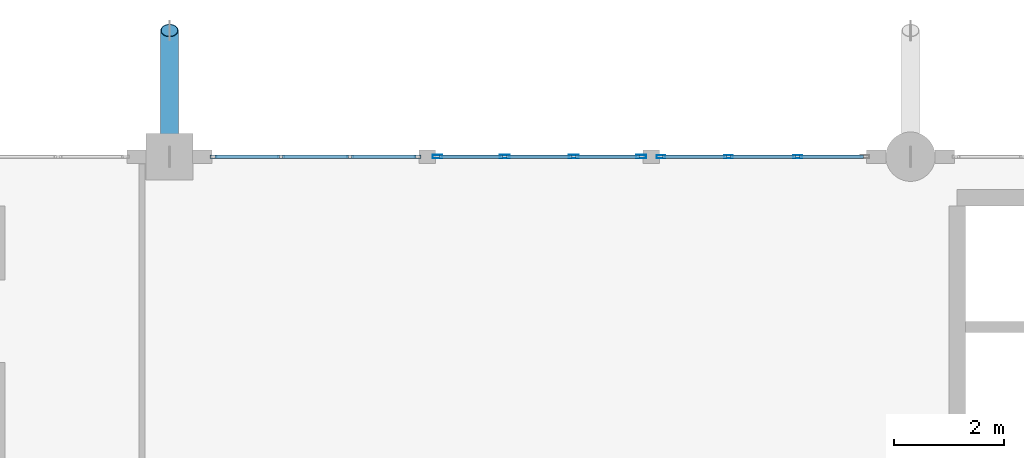
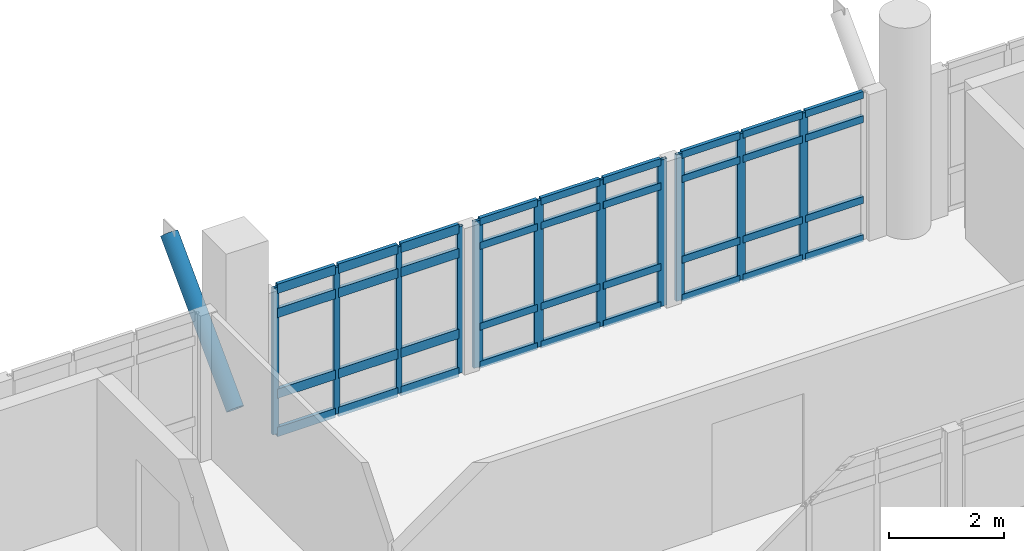
# One storey, part 10 of 37: 48 members, 3 elements without a shape of their own.
"""IFC4 building model written with IfcOpenShell, lengths in metres."""

from ifc_helpers import new_model, si_unit, direction, frame, origin, origin_2d, place, context, subcontext, project, spatial, hollow_rectangle, hollow_circle, extrude, material, layer, layer_set, material_profile, profile_set, type_object, element, aggregate, save


model = new_model("IFC4")

# Units and contexts
model_context = context("Model", 3, precision=1e-05, world=origin(), true_north=direction((0.0, 1.0)))
body_context = subcontext(model_context, "Body", "Model", "MODEL_VIEW")
ifc_project = project(units=[si_unit("LENGTHUNIT", "METRE"), si_unit("AREAUNIT", "SQUARE_METRE"), si_unit("VOLUMEUNIT", "CUBIC_METRE"), si_unit("PLANEANGLEUNIT", "RADIAN"), si_unit("MASSUNIT", "GRAM", prefix="KILO")], contexts=[model_context])

# Site, building, storey
site_placement = place(None, origin())
site = spatial("IfcSite", under=ifc_project, at=site_placement, CompositionType="ELEMENT")
building_placement = place(site_placement, origin())
building = spatial("IfcBuilding", under=site, at=building_placement, Name="Fikremerkos Civic Library", CompositionType="ELEMENT")
storey_placement = place(building_placement, frame((0.0, 0.0, 23.39990234375)))
storey = spatial("IfcBuildingStorey", under=building, at=storey_placement, Name="L05", CompositionType="ELEMENT", Elevation=23.39990234375)

# Curtain wall, members
ifc_material_1 = material(Name="Anodized aluminium Frame", Category="aluminium")
ifc_layer_1 = layer(ifc_material_1, 0.159912109375, Name="Anodized aluminium Frame")
ifc_layer_set_1 = layer_set([ifc_layer_1], Name="Anodized aluminium Frame")
curtain_wall_type_1 = type_object("IfcCurtainWallType", Name="Unitised curtain wall CW-09 3600x3400", PredefinedType="USERDEFINED", material=ifc_layer_set_1)
curtain_wall_1_placement = place(storey_placement, origin())
curtain_wall_1 = element("IfcCurtainWall", 1, at=curtain_wall_1_placement, inside=storey, type_object=curtain_wall_type_1, Name="Unitised curtain wall CW-09 L05 #261", ObjectType="UNITISED CURTAIN WALL", PredefinedType="USERDEFINED")
ifc_material_profile_1 = material_profile(ifc_material_1, hollow_rectangle(XDim=0.06494140625, YDim=0.179931640625, WallThickness=0.00439453125, at=origin_2d()), Name="ALU 180x65x4.5")
ifc_profile_set_1 = profile_set([ifc_material_profile_1], Name="Anodized aluminium Frame")
member_type_1 = type_object("IfcMemberType", Name="Curtain mullion CWM-01 ALU 180x65x4.5", PredefinedType="MULLION", material=ifc_profile_set_1)
member_1_placement = place(storey_placement, frame((37.581787109375, 31.199951171875, 0.0), z_axis=(0.0, 0.0, 1.0), x_axis=(0.0, 1.0, 0.0)))
member_1 = element("IfcMember", 2, at=member_1_placement, type_object=member_type_1, Name="CW-09 mullion 1", PredefinedType="MULLION", context=body_context, shape_type="SweptSolid", body=[
    extrude(hollow_rectangle(XDim=0.06494140625, YDim=0.179931640625, WallThickness=0.00439453125, at=origin_2d()), origin(), (0.0, 0.0, 1.0), 3.1201171875),
])
member_2_placement = place(storey_placement, frame((38.80810546875, 31.199951171875, 0.0), z_axis=(0.0, 0.0, 1.0), x_axis=(0.0, 1.0, 0.0)))
member_2 = element("IfcMember", 3, at=member_2_placement, type_object=member_type_1, Name="CW-09 mullion 2", PredefinedType="MULLION", context=body_context, shape_type="SweptSolid", body=[
    extrude(hollow_rectangle(XDim=0.06494140625, YDim=0.179931640625, WallThickness=0.00439453125, at=origin_2d()), origin(), (0.0, 0.0, 1.0), 3.1201171875),
])
member_3_placement = place(storey_placement, frame((40.06689453125, 31.199951171875, 0.0), z_axis=(0.0, 0.0, 1.0), x_axis=(0.0, 1.0, 0.0)))
member_3 = element("IfcMember", 4, at=member_3_placement, type_object=member_type_1, Name="CW-09 mullion 3", PredefinedType="MULLION", context=body_context, shape_type="SweptSolid", body=[
    extrude(hollow_rectangle(XDim=0.06494140625, YDim=0.179931640625, WallThickness=0.00439453125, at=origin_2d()), origin(), (0.0, 0.0, 1.0), 3.1201171875),
])
member_4_placement = place(storey_placement, frame((41.293212890625, 31.199951171875, 0.0), z_axis=(0.0, 0.0, 1.0), x_axis=(0.0, 1.0, 0.0)))
member_4 = element("IfcMember", 5, at=member_4_placement, type_object=member_type_1, Name="CW-09 mullion 4", PredefinedType="MULLION", context=body_context, shape_type="SweptSolid", body=[
    extrude(hollow_rectangle(XDim=0.06494140625, YDim=0.179931640625, WallThickness=0.00439453125, at=origin_2d()), origin(), (0.0, 0.0, 1.0), 3.1201171875),
])

ifc_layer_2 = layer(ifc_material_1, 0.159912109375, Name="Anodized aluminium Frame")
ifc_layer_set_2 = layer_set([ifc_layer_2], Name="Anodized aluminium Frame")
curtain_wall_type_2 = type_object("IfcCurtainWallType", Name="Unitised curtain wall CW-10 4000x3400", PredefinedType="USERDEFINED", material=ifc_layer_set_2)
curtain_wall_2_placement = place(storey_placement, origin())
curtain_wall_2 = element("IfcCurtainWall", 6, at=curtain_wall_2_placement, inside=storey, type_object=curtain_wall_type_2, Name="Unitised curtain wall CW-10 L05 #262", ObjectType="UNITISED CURTAIN WALL", PredefinedType="USERDEFINED")
ifc_material_profile_2 = material_profile(ifc_material_1, hollow_rectangle(XDim=0.06005859375, YDim=0.159912109375, WallThickness=0.00390625, at=origin_2d()), Name="ALU 160x60x4")
ifc_profile_set_2 = profile_set([ifc_material_profile_2], Name="Anodized aluminium Frame")
member_type_2 = type_object("IfcMemberType", Name="Curtain mullion CWM-02 ALU 160x60x4", PredefinedType="MULLION", material=ifc_profile_set_2)
member_5_placement = place(storey_placement, frame((41.65576171875, 31.199951171875, 0.0), z_axis=(0.0, 0.0, 1.0), x_axis=(0.0, 1.0, 0.0)))
member_5 = element("IfcMember", 7, at=member_5_placement, type_object=member_type_2, Name="CW-10 mullion 1", PredefinedType="MULLION", context=body_context, shape_type="SweptSolid", body=[
    extrude(hollow_rectangle(XDim=0.06005859375, YDim=0.159912109375, WallThickness=0.00390625, at=origin_2d()), origin(), (0.0, 0.0, 1.0), 3.1201171875),
])
member_6_placement = place(storey_placement, frame((42.884521484375, 31.199951171875, 0.0), z_axis=(0.0, 0.0, 1.0), x_axis=(0.0, 1.0, 0.0)))
member_6 = element("IfcMember", 8, at=member_6_placement, type_object=member_type_2, Name="CW-10 mullion 2", PredefinedType="MULLION", context=body_context, shape_type="SweptSolid", body=[
    extrude(hollow_rectangle(XDim=0.06005859375, YDim=0.159912109375, WallThickness=0.00390625, at=origin_2d()), origin(), (0.0, 0.0, 1.0), 3.1201171875),
])
member_7_placement = place(storey_placement, frame((44.143310546875, 31.199951171875, 0.0), z_axis=(0.0, 0.0, 1.0), x_axis=(0.0, 1.0, 0.0)))
member_7 = element("IfcMember", 9, at=member_7_placement, type_object=member_type_2, Name="CW-10 mullion 3", PredefinedType="MULLION", context=body_context, shape_type="SweptSolid", body=[
    extrude(hollow_rectangle(XDim=0.06005859375, YDim=0.159912109375, WallThickness=0.00390625, at=origin_2d()), origin(), (0.0, 0.0, 1.0), 3.1201171875),
])

ifc_layer_3 = layer(ifc_material_1, 0.159912109375, Name="Anodized aluminium Frame")
ifc_layer_set_3 = layer_set([ifc_layer_3], Name="Anodized aluminium Frame")
curtain_wall_type_3 = type_object("IfcCurtainWallType", Name="Unitised curtain wall CW-08 4500x4100", PredefinedType="USERDEFINED", material=ifc_layer_set_3)
curtain_wall_3_placement = place(storey_placement, origin())
curtain_wall_3 = element("IfcCurtainWall", 10, at=curtain_wall_3_placement, inside=storey, type_object=curtain_wall_type_3, Name="Unitised curtain wall CW-08 L05 #260", ObjectType="UNITISED CURTAIN WALL", PredefinedType="USERDEFINED")
ifc_material_profile_3 = material_profile(ifc_material_1, hollow_rectangle(XDim=0.06005859375, YDim=0.1201171875, WallThickness=0.00390625, at=origin_2d()), Name="ALU 120x60x4")
ifc_profile_set_3 = profile_set([ifc_material_profile_3], Name="Anodized aluminium Frame")
member_type_3 = type_object("IfcMemberType", Name="Curtain mullion CWM-04 ALU 120x60x4", PredefinedType="MULLION", material=ifc_profile_set_3)
member_8_placement = place(storey_placement, frame((33.5029296875, 31.199951171875, 0.0), z_axis=(0.0, 0.0, 1.0), x_axis=(0.0, 1.0, 0.0)))
member_8 = element("IfcMember", 11, at=member_8_placement, type_object=member_type_3, Name="CW-08 mullion 1", PredefinedType="MULLION", context=body_context, shape_type="SweptSolid", body=[
    extrude(hollow_rectangle(XDim=0.06005859375, YDim=0.1201171875, WallThickness=0.00390625, at=origin_2d()), origin(), (0.0, 0.0, 1.0), 3.1201171875),
])
member_9_placement = place(storey_placement, frame((34.731689453125, 31.199951171875, 0.0), z_axis=(0.0, 0.0, 1.0), x_axis=(0.0, 1.0, 0.0)))
member_9 = element("IfcMember", 12, at=member_9_placement, type_object=member_type_3, Name="CW-08 mullion 2", PredefinedType="MULLION", context=body_context, shape_type="SweptSolid", body=[
    extrude(hollow_rectangle(XDim=0.06005859375, YDim=0.1201171875, WallThickness=0.00390625, at=origin_2d()), origin(), (0.0, 0.0, 1.0), 3.1201171875),
])
member_10_placement = place(storey_placement, frame((35.990478515625, 31.199951171875, 0.0), z_axis=(0.0, 0.0, 1.0), x_axis=(0.0, 1.0, 0.0)))
member_10 = element("IfcMember", 13, at=member_10_placement, type_object=member_type_3, Name="CW-08 mullion 3", PredefinedType="MULLION", context=body_context, shape_type="SweptSolid", body=[
    extrude(hollow_rectangle(XDim=0.06005859375, YDim=0.1201171875, WallThickness=0.00390625, at=origin_2d()), origin(), (0.0, 0.0, 1.0), 3.1201171875),
])
member_11_placement = place(storey_placement, frame((37.21923828125, 31.199951171875, 0.0), z_axis=(0.0, 0.0, 1.0), x_axis=(0.0, 1.0, 0.0)))
member_11 = element("IfcMember", 14, at=member_11_placement, type_object=member_type_3, Name="CW-08 mullion 4", PredefinedType="MULLION", context=body_context, shape_type="SweptSolid", body=[
    extrude(hollow_rectangle(XDim=0.06005859375, YDim=0.1201171875, WallThickness=0.00390625, at=origin_2d()), origin(), (0.0, 0.0, 1.0), 3.1201171875),
])

# Member
ifc_material_profile_4 = material_profile(ifc_material_1, hollow_rectangle(XDim=0.070068359375, YDim=0.14990234375, WallThickness=0.00439453125, at=origin_2d()), Name="ALU 150x70x4.5")
ifc_profile_set_4 = profile_set([ifc_material_profile_4], Name="Anodized aluminium Frame")
member_type_4 = type_object("IfcMemberType", Name="Curtain transom CWT-01 ALU 150x70x4.5", PredefinedType="USERDEFINED", material=ifc_profile_set_4)
member_12_placement = place(storey_placement, frame((37.6142578125, 31.199951171875, 0.03515625), z_axis=(1.0, 0.0, 0.0), x_axis=(0.0, 1.0, 0.0)))
member_12 = element("IfcMember", 15, at=member_12_placement, type_object=member_type_4, Name="CW-09 transom 1.1", ObjectType="TRANSOM", PredefinedType="USERDEFINED", context=body_context, shape_type="SweptSolid", body=[
    extrude(hollow_rectangle(XDim=0.070068359375, YDim=0.14990234375, WallThickness=0.00439453125, at=origin_2d()), origin(), (0.0, 0.0, 1.0), 1.161376953125),
])

member_13_placement = place(storey_placement, frame((37.6142578125, 31.199951171875, 0.85009765625), z_axis=(1.0, 0.0, 0.0), x_axis=(0.0, 1.0, 0.0)))
member_13 = element("IfcMember", 16, at=member_13_placement, type_object=member_type_4, Name="CW-09 transom 1.2", ObjectType="TRANSOM", PredefinedType="USERDEFINED", context=body_context, shape_type="SweptSolid", body=[
    extrude(hollow_rectangle(XDim=0.070068359375, YDim=0.14990234375, WallThickness=0.00439453125, at=origin_2d()), origin(), (0.0, 0.0, 1.0), 1.161376953125),
])

member_14_placement = place(storey_placement, frame((37.6142578125, 31.199951171875, 2.570068359375), z_axis=(1.0, 0.0, 0.0), x_axis=(0.0, 1.0, 0.0)))
member_14 = element("IfcMember", 17, at=member_14_placement, type_object=member_type_4, Name="CW-09 transom 1.3", ObjectType="TRANSOM", PredefinedType="USERDEFINED", context=body_context, shape_type="SweptSolid", body=[
    extrude(hollow_rectangle(XDim=0.070068359375, YDim=0.14990234375, WallThickness=0.00439453125, at=origin_2d()), origin(), (0.0, 0.0, 1.0), 1.161376953125),
])

member_15_placement = place(storey_placement, frame((37.6142578125, 31.199951171875, 3.085205078125), z_axis=(1.0, 0.0, 0.0), x_axis=(0.0, 1.0, 0.0)))
member_15 = element("IfcMember", 18, at=member_15_placement, type_object=member_type_4, Name="CW-09 transom 1.4", ObjectType="TRANSOM", PredefinedType="USERDEFINED", context=body_context, shape_type="SweptSolid", body=[
    extrude(hollow_rectangle(XDim=0.070068359375, YDim=0.14990234375, WallThickness=0.00439453125, at=origin_2d()), origin(), (0.0, 0.0, 1.0), 1.161376953125),
])

member_16_placement = place(storey_placement, frame((38.840576171875, 31.199951171875, 0.03515625), z_axis=(1.0, 0.0, 0.0), x_axis=(0.0, 1.0, 0.0)))
member_16 = element("IfcMember", 19, at=member_16_placement, type_object=member_type_4, Name="CW-09 transom 2.1", ObjectType="TRANSOM", PredefinedType="USERDEFINED", context=body_context, shape_type="SweptSolid", body=[
    extrude(hollow_rectangle(XDim=0.070068359375, YDim=0.14990234375, WallThickness=0.00439453125, at=origin_2d()), origin(), (0.0, 0.0, 1.0), 1.19384765625),
])

member_17_placement = place(storey_placement, frame((38.840576171875, 31.199951171875, 0.85009765625), z_axis=(1.0, 0.0, 0.0), x_axis=(0.0, 1.0, 0.0)))
member_17 = element("IfcMember", 20, at=member_17_placement, type_object=member_type_4, Name="CW-09 transom 2.2", ObjectType="TRANSOM", PredefinedType="USERDEFINED", context=body_context, shape_type="SweptSolid", body=[
    extrude(hollow_rectangle(XDim=0.070068359375, YDim=0.14990234375, WallThickness=0.00439453125, at=origin_2d()), origin(), (0.0, 0.0, 1.0), 1.19384765625),
])

member_18_placement = place(storey_placement, frame((38.840576171875, 31.199951171875, 2.570068359375), z_axis=(1.0, 0.0, 0.0), x_axis=(0.0, 1.0, 0.0)))
member_18 = element("IfcMember", 21, at=member_18_placement, type_object=member_type_4, Name="CW-09 transom 2.3", ObjectType="TRANSOM", PredefinedType="USERDEFINED", context=body_context, shape_type="SweptSolid", body=[
    extrude(hollow_rectangle(XDim=0.070068359375, YDim=0.14990234375, WallThickness=0.00439453125, at=origin_2d()), origin(), (0.0, 0.0, 1.0), 1.19384765625),
])

member_19_placement = place(storey_placement, frame((38.840576171875, 31.199951171875, 3.085205078125), z_axis=(1.0, 0.0, 0.0), x_axis=(0.0, 1.0, 0.0)))
member_19 = element("IfcMember", 22, at=member_19_placement, type_object=member_type_4, Name="CW-09 transom 2.4", ObjectType="TRANSOM", PredefinedType="USERDEFINED", context=body_context, shape_type="SweptSolid", body=[
    extrude(hollow_rectangle(XDim=0.070068359375, YDim=0.14990234375, WallThickness=0.00439453125, at=origin_2d()), origin(), (0.0, 0.0, 1.0), 1.19384765625),
])

member_20_placement = place(storey_placement, frame((40.099365234375, 31.199951171875, 0.03515625), z_axis=(1.0, 0.0, 0.0), x_axis=(0.0, 1.0, 0.0)))
member_20 = element("IfcMember", 23, at=member_20_placement, type_object=member_type_4, Name="CW-09 transom 3.1", ObjectType="TRANSOM", PredefinedType="USERDEFINED", context=body_context, shape_type="SweptSolid", body=[
    extrude(hollow_rectangle(XDim=0.070068359375, YDim=0.14990234375, WallThickness=0.00439453125, at=origin_2d()), origin(), (0.0, 0.0, 1.0), 1.161376953125),
])

member_21_placement = place(storey_placement, frame((40.099365234375, 31.199951171875, 0.85009765625), z_axis=(1.0, 0.0, 0.0), x_axis=(0.0, 1.0, 0.0)))
member_21 = element("IfcMember", 24, at=member_21_placement, type_object=member_type_4, Name="CW-09 transom 3.2", ObjectType="TRANSOM", PredefinedType="USERDEFINED", context=body_context, shape_type="SweptSolid", body=[
    extrude(hollow_rectangle(XDim=0.070068359375, YDim=0.14990234375, WallThickness=0.00439453125, at=origin_2d()), origin(), (0.0, 0.0, 1.0), 1.161376953125),
])

member_22_placement = place(storey_placement, frame((40.099365234375, 31.199951171875, 2.570068359375), z_axis=(1.0, 0.0, 0.0), x_axis=(0.0, 1.0, 0.0)))
member_22 = element("IfcMember", 25, at=member_22_placement, type_object=member_type_4, Name="CW-09 transom 3.3", ObjectType="TRANSOM", PredefinedType="USERDEFINED", context=body_context, shape_type="SweptSolid", body=[
    extrude(hollow_rectangle(XDim=0.070068359375, YDim=0.14990234375, WallThickness=0.00439453125, at=origin_2d()), origin(), (0.0, 0.0, 1.0), 1.161376953125),
])

member_23_placement = place(storey_placement, frame((40.099365234375, 31.199951171875, 3.085205078125), z_axis=(1.0, 0.0, 0.0), x_axis=(0.0, 1.0, 0.0)))
member_23 = element("IfcMember", 26, at=member_23_placement, type_object=member_type_4, Name="CW-09 transom 3.4", ObjectType="TRANSOM", PredefinedType="USERDEFINED", context=body_context, shape_type="SweptSolid", body=[
    extrude(hollow_rectangle(XDim=0.070068359375, YDim=0.14990234375, WallThickness=0.00439453125, at=origin_2d()), origin(), (0.0, 0.0, 1.0), 1.161376953125),
])

aggregate(curtain_wall_1, [member_1, member_2, member_3, member_4, member_12, member_13, member_14, member_15, member_16, member_17, member_18, member_19, member_20, member_21, member_22, member_23])

member_24_placement = place(storey_placement, frame((41.685791015625, 31.199951171875, 0.03515625), z_axis=(1.0, 0.0, 0.0), x_axis=(0.0, 1.0, 0.0)))
member_24 = element("IfcMember", 27, at=member_24_placement, type_object=member_type_4, Name="CW-10 transom 1.1", ObjectType="TRANSOM", PredefinedType="USERDEFINED", context=body_context, shape_type="SweptSolid", body=[
    extrude(hollow_rectangle(XDim=0.070068359375, YDim=0.14990234375, WallThickness=0.00439453125, at=origin_2d()), origin(), (0.0, 0.0, 1.0), 1.168701171875),
])

member_25_placement = place(storey_placement, frame((41.685791015625, 31.199951171875, 0.85009765625), z_axis=(1.0, 0.0, 0.0), x_axis=(0.0, 1.0, 0.0)))
member_25 = element("IfcMember", 28, at=member_25_placement, type_object=member_type_4, Name="CW-10 transom 1.2", ObjectType="TRANSOM", PredefinedType="USERDEFINED", context=body_context, shape_type="SweptSolid", body=[
    extrude(hollow_rectangle(XDim=0.070068359375, YDim=0.14990234375, WallThickness=0.00439453125, at=origin_2d()), origin(), (0.0, 0.0, 1.0), 1.168701171875),
])

member_26_placement = place(storey_placement, frame((41.685791015625, 31.199951171875, 2.570068359375), z_axis=(1.0, 0.0, 0.0), x_axis=(0.0, 1.0, 0.0)))
member_26 = element("IfcMember", 29, at=member_26_placement, type_object=member_type_4, Name="CW-10 transom 1.3", ObjectType="TRANSOM", PredefinedType="USERDEFINED", context=body_context, shape_type="SweptSolid", body=[
    extrude(hollow_rectangle(XDim=0.070068359375, YDim=0.14990234375, WallThickness=0.00439453125, at=origin_2d()), origin(), (0.0, 0.0, 1.0), 1.168701171875),
])

member_27_placement = place(storey_placement, frame((41.685791015625, 31.199951171875, 3.085205078125), z_axis=(1.0, 0.0, 0.0), x_axis=(0.0, 1.0, 0.0)))
member_27 = element("IfcMember", 30, at=member_27_placement, type_object=member_type_4, Name="CW-10 transom 1.4", ObjectType="TRANSOM", PredefinedType="USERDEFINED", context=body_context, shape_type="SweptSolid", body=[
    extrude(hollow_rectangle(XDim=0.070068359375, YDim=0.14990234375, WallThickness=0.00439453125, at=origin_2d()), origin(), (0.0, 0.0, 1.0), 1.168701171875),
])

member_28_placement = place(storey_placement, frame((42.91455078125, 31.199951171875, 0.03515625), z_axis=(1.0, 0.0, 0.0), x_axis=(0.0, 1.0, 0.0)))
member_28 = element("IfcMember", 31, at=member_28_placement, type_object=member_type_4, Name="CW-10 transom 2.1", ObjectType="TRANSOM", PredefinedType="USERDEFINED", context=body_context, shape_type="SweptSolid", body=[
    extrude(hollow_rectangle(XDim=0.070068359375, YDim=0.14990234375, WallThickness=0.00439453125, at=origin_2d()), origin(), (0.0, 0.0, 1.0), 1.19873046875),
])

member_29_placement = place(storey_placement, frame((42.91455078125, 31.199951171875, 0.85009765625), z_axis=(1.0, 0.0, 0.0), x_axis=(0.0, 1.0, 0.0)))
member_29 = element("IfcMember", 32, at=member_29_placement, type_object=member_type_4, Name="CW-10 transom 2.2", ObjectType="TRANSOM", PredefinedType="USERDEFINED", context=body_context, shape_type="SweptSolid", body=[
    extrude(hollow_rectangle(XDim=0.070068359375, YDim=0.14990234375, WallThickness=0.00439453125, at=origin_2d()), origin(), (0.0, 0.0, 1.0), 1.19873046875),
])

member_30_placement = place(storey_placement, frame((42.91455078125, 31.199951171875, 2.570068359375), z_axis=(1.0, 0.0, 0.0), x_axis=(0.0, 1.0, 0.0)))
member_30 = element("IfcMember", 33, at=member_30_placement, type_object=member_type_4, Name="CW-10 transom 2.3", ObjectType="TRANSOM", PredefinedType="USERDEFINED", context=body_context, shape_type="SweptSolid", body=[
    extrude(hollow_rectangle(XDim=0.070068359375, YDim=0.14990234375, WallThickness=0.00439453125, at=origin_2d()), origin(), (0.0, 0.0, 1.0), 1.19873046875),
])

member_31_placement = place(storey_placement, frame((42.91455078125, 31.199951171875, 3.085205078125), z_axis=(1.0, 0.0, 0.0), x_axis=(0.0, 1.0, 0.0)))
member_31 = element("IfcMember", 34, at=member_31_placement, type_object=member_type_4, Name="CW-10 transom 2.4", ObjectType="TRANSOM", PredefinedType="USERDEFINED", context=body_context, shape_type="SweptSolid", body=[
    extrude(hollow_rectangle(XDim=0.070068359375, YDim=0.14990234375, WallThickness=0.00439453125, at=origin_2d()), origin(), (0.0, 0.0, 1.0), 1.19873046875),
])

member_32_placement = place(storey_placement, frame((44.17333984375, 31.199951171875, 0.03515625), z_axis=(1.0, 0.0, 0.0), x_axis=(0.0, 1.0, 0.0)))
member_32 = element("IfcMember", 35, at=member_32_placement, type_object=member_type_4, Name="CW-10 transom 3.1", ObjectType="TRANSOM", PredefinedType="USERDEFINED", context=body_context, shape_type="SweptSolid", body=[
    extrude(hollow_rectangle(XDim=0.070068359375, YDim=0.14990234375, WallThickness=0.00439453125, at=origin_2d()), origin(), (0.0, 0.0, 1.0), 1.168701171875),
])

member_33_placement = place(storey_placement, frame((44.17333984375, 31.199951171875, 0.85009765625), z_axis=(1.0, 0.0, 0.0), x_axis=(0.0, 1.0, 0.0)))
member_33 = element("IfcMember", 36, at=member_33_placement, type_object=member_type_4, Name="CW-10 transom 3.2", ObjectType="TRANSOM", PredefinedType="USERDEFINED", context=body_context, shape_type="SweptSolid", body=[
    extrude(hollow_rectangle(XDim=0.070068359375, YDim=0.14990234375, WallThickness=0.00439453125, at=origin_2d()), origin(), (0.0, 0.0, 1.0), 1.168701171875),
])

member_34_placement = place(storey_placement, frame((44.17333984375, 31.199951171875, 2.570068359375), z_axis=(1.0, 0.0, 0.0), x_axis=(0.0, 1.0, 0.0)))
member_34 = element("IfcMember", 37, at=member_34_placement, type_object=member_type_4, Name="CW-10 transom 3.3", ObjectType="TRANSOM", PredefinedType="USERDEFINED", context=body_context, shape_type="SweptSolid", body=[
    extrude(hollow_rectangle(XDim=0.070068359375, YDim=0.14990234375, WallThickness=0.00439453125, at=origin_2d()), origin(), (0.0, 0.0, 1.0), 1.168701171875),
])

member_35_placement = place(storey_placement, frame((44.17333984375, 31.199951171875, 3.085205078125), z_axis=(1.0, 0.0, 0.0), x_axis=(0.0, 1.0, 0.0)))
member_35 = element("IfcMember", 38, at=member_35_placement, type_object=member_type_4, Name="CW-10 transom 3.4", ObjectType="TRANSOM", PredefinedType="USERDEFINED", context=body_context, shape_type="SweptSolid", body=[
    extrude(hollow_rectangle(XDim=0.070068359375, YDim=0.14990234375, WallThickness=0.00439453125, at=origin_2d()), origin(), (0.0, 0.0, 1.0), 1.168701171875),
])

aggregate(curtain_wall_2, [member_5, member_6, member_7, member_24, member_25, member_26, member_27, member_28, member_29, member_30, member_31, member_32, member_33, member_34, member_35])

ifc_material_profile_5 = material_profile(ifc_material_1, hollow_rectangle(XDim=0.070068359375, YDim=0.199951171875, WallThickness=0.0048828125, at=origin_2d()), Name="ALU 200x70x5")
ifc_profile_set_5 = profile_set([ifc_material_profile_5], Name="Anodized aluminium Frame")
member_type_5 = type_object("IfcMemberType", Name="Curtain transom CWT-04 ALU 200x70x5", PredefinedType="USERDEFINED", material=ifc_profile_set_5)
member_36_placement = place(storey_placement, frame((33.532958984375, 31.199951171875, 0.03515625), z_axis=(1.0, 0.0, 0.0), x_axis=(0.0, 1.0, 0.0)))
member_36 = element("IfcMember", 39, at=member_36_placement, type_object=member_type_5, Name="CW-08 transom 1.1", ObjectType="TRANSOM", PredefinedType="USERDEFINED", context=body_context, shape_type="SweptSolid", body=[
    extrude(hollow_rectangle(XDim=0.070068359375, YDim=0.199951171875, WallThickness=0.0048828125, at=origin_2d()), origin(), (0.0, 0.0, 1.0), 1.168701171875),
])

member_37_placement = place(storey_placement, frame((33.532958984375, 31.199951171875, 0.85009765625), z_axis=(1.0, 0.0, 0.0), x_axis=(0.0, 1.0, 0.0)))
member_37 = element("IfcMember", 40, at=member_37_placement, type_object=member_type_5, Name="CW-08 transom 1.2", ObjectType="TRANSOM", PredefinedType="USERDEFINED", context=body_context, shape_type="SweptSolid", body=[
    extrude(hollow_rectangle(XDim=0.070068359375, YDim=0.199951171875, WallThickness=0.0048828125, at=origin_2d()), origin(), (0.0, 0.0, 1.0), 1.168701171875),
])

member_38_placement = place(storey_placement, frame((33.532958984375, 31.199951171875, 2.570068359375), z_axis=(1.0, 0.0, 0.0), x_axis=(0.0, 1.0, 0.0)))
member_38 = element("IfcMember", 41, at=member_38_placement, type_object=member_type_5, Name="CW-08 transom 1.3", ObjectType="TRANSOM", PredefinedType="USERDEFINED", context=body_context, shape_type="SweptSolid", body=[
    extrude(hollow_rectangle(XDim=0.070068359375, YDim=0.199951171875, WallThickness=0.0048828125, at=origin_2d()), origin(), (0.0, 0.0, 1.0), 1.168701171875),
])

member_39_placement = place(storey_placement, frame((33.532958984375, 31.199951171875, 3.085205078125), z_axis=(1.0, 0.0, 0.0), x_axis=(0.0, 1.0, 0.0)))
member_39 = element("IfcMember", 42, at=member_39_placement, type_object=member_type_5, Name="CW-08 transom 1.4", ObjectType="TRANSOM", PredefinedType="USERDEFINED", context=body_context, shape_type="SweptSolid", body=[
    extrude(hollow_rectangle(XDim=0.070068359375, YDim=0.199951171875, WallThickness=0.0048828125, at=origin_2d()), origin(), (0.0, 0.0, 1.0), 1.168701171875),
])

member_40_placement = place(storey_placement, frame((34.76171875, 31.199951171875, 0.03515625), z_axis=(1.0, 0.0, 0.0), x_axis=(0.0, 1.0, 0.0)))
member_40 = element("IfcMember", 43, at=member_40_placement, type_object=member_type_5, Name="CW-08 transom 2.1", ObjectType="TRANSOM", PredefinedType="USERDEFINED", context=body_context, shape_type="SweptSolid", body=[
    extrude(hollow_rectangle(XDim=0.070068359375, YDim=0.199951171875, WallThickness=0.0048828125, at=origin_2d()), origin(), (0.0, 0.0, 1.0), 1.19873046875),
])

member_41_placement = place(storey_placement, frame((34.76171875, 31.199951171875, 0.85009765625), z_axis=(1.0, 0.0, 0.0), x_axis=(0.0, 1.0, 0.0)))
member_41 = element("IfcMember", 44, at=member_41_placement, type_object=member_type_5, Name="CW-08 transom 2.2", ObjectType="TRANSOM", PredefinedType="USERDEFINED", context=body_context, shape_type="SweptSolid", body=[
    extrude(hollow_rectangle(XDim=0.070068359375, YDim=0.199951171875, WallThickness=0.0048828125, at=origin_2d()), origin(), (0.0, 0.0, 1.0), 1.19873046875),
])

member_42_placement = place(storey_placement, frame((34.76171875, 31.199951171875, 2.570068359375), z_axis=(1.0, 0.0, 0.0), x_axis=(0.0, 1.0, 0.0)))
member_42 = element("IfcMember", 45, at=member_42_placement, type_object=member_type_5, Name="CW-08 transom 2.3", ObjectType="TRANSOM", PredefinedType="USERDEFINED", context=body_context, shape_type="SweptSolid", body=[
    extrude(hollow_rectangle(XDim=0.070068359375, YDim=0.199951171875, WallThickness=0.0048828125, at=origin_2d()), origin(), (0.0, 0.0, 1.0), 1.19873046875),
])

member_43_placement = place(storey_placement, frame((34.76171875, 31.199951171875, 3.085205078125), z_axis=(1.0, 0.0, 0.0), x_axis=(0.0, 1.0, 0.0)))
member_43 = element("IfcMember", 46, at=member_43_placement, type_object=member_type_5, Name="CW-08 transom 2.4", ObjectType="TRANSOM", PredefinedType="USERDEFINED", context=body_context, shape_type="SweptSolid", body=[
    extrude(hollow_rectangle(XDim=0.070068359375, YDim=0.199951171875, WallThickness=0.0048828125, at=origin_2d()), origin(), (0.0, 0.0, 1.0), 1.19873046875),
])

member_44_placement = place(storey_placement, frame((36.0205078125, 31.199951171875, 0.03515625), z_axis=(1.0, 0.0, 0.0), x_axis=(0.0, 1.0, 0.0)))
member_44 = element("IfcMember", 47, at=member_44_placement, type_object=member_type_5, Name="CW-08 transom 3.1", ObjectType="TRANSOM", PredefinedType="USERDEFINED", context=body_context, shape_type="SweptSolid", body=[
    extrude(hollow_rectangle(XDim=0.070068359375, YDim=0.199951171875, WallThickness=0.0048828125, at=origin_2d()), origin(), (0.0, 0.0, 1.0), 1.168701171875),
])

member_45_placement = place(storey_placement, frame((36.0205078125, 31.199951171875, 0.85009765625), z_axis=(1.0, 0.0, 0.0), x_axis=(0.0, 1.0, 0.0)))
member_45 = element("IfcMember", 48, at=member_45_placement, type_object=member_type_5, Name="CW-08 transom 3.2", ObjectType="TRANSOM", PredefinedType="USERDEFINED", context=body_context, shape_type="SweptSolid", body=[
    extrude(hollow_rectangle(XDim=0.070068359375, YDim=0.199951171875, WallThickness=0.0048828125, at=origin_2d()), origin(), (0.0, 0.0, 1.0), 1.168701171875),
])

member_46_placement = place(storey_placement, frame((36.0205078125, 31.199951171875, 2.570068359375), z_axis=(1.0, 0.0, 0.0), x_axis=(0.0, 1.0, 0.0)))
member_46 = element("IfcMember", 49, at=member_46_placement, type_object=member_type_5, Name="CW-08 transom 3.3", ObjectType="TRANSOM", PredefinedType="USERDEFINED", context=body_context, shape_type="SweptSolid", body=[
    extrude(hollow_rectangle(XDim=0.070068359375, YDim=0.199951171875, WallThickness=0.0048828125, at=origin_2d()), origin(), (0.0, 0.0, 1.0), 1.168701171875),
])

member_47_placement = place(storey_placement, frame((36.0205078125, 31.199951171875, 3.085205078125), z_axis=(1.0, 0.0, 0.0), x_axis=(0.0, 1.0, 0.0)))
member_47 = element("IfcMember", 50, at=member_47_placement, type_object=member_type_5, Name="CW-08 transom 3.4", ObjectType="TRANSOM", PredefinedType="USERDEFINED", context=body_context, shape_type="SweptSolid", body=[
    extrude(hollow_rectangle(XDim=0.070068359375, YDim=0.199951171875, WallThickness=0.0048828125, at=origin_2d()), origin(), (0.0, 0.0, 1.0), 1.168701171875),
])

aggregate(curtain_wall_3, [member_8, member_9, member_10, member_11, member_36, member_37, member_38, member_39, member_40, member_41, member_42, member_43, member_44, member_45, member_46, member_47])

ifc_material_2 = material(Name="Steel S355", Category="steel")
ifc_material_profile_6 = material_profile(ifc_material_2, hollow_circle(Radius=0.161865234375, WallThickness=0.012451171875, at=origin_2d()), Name="CHS 323.9x12.5")
ifc_profile_set_6 = profile_set([ifc_material_profile_6], Name="Steel S355")
member_type_6 = type_object("IfcMemberType", Name="Raking strut STR-03 CHS 323.9x12.5", PredefinedType="STRUT", material=ifc_profile_set_6)
member_48_placement = place(storey_placement, frame((32.699951171875, 31.199951171875, 0.800048828125), z_axis=(0.0, 0.69945578618, 0.714675872812), x_axis=(-1.0, 0.0, 0.0)))
element("IfcMember", 51, at=member_48_placement, inside=storey, type_object=member_type_6, Name="Raking valley overhang strut STR-03 L05 X=32.7", PredefinedType="STRUT", context=body_context, shape_type="SweptSolid", body=[
    extrude(hollow_circle(Radius=0.161865234375, WallThickness=0.012451171875, at=origin_2d()), origin(), (0.0, 0.0, 1.0), 3.288330078125),
])

save(model, "model.ifc")
